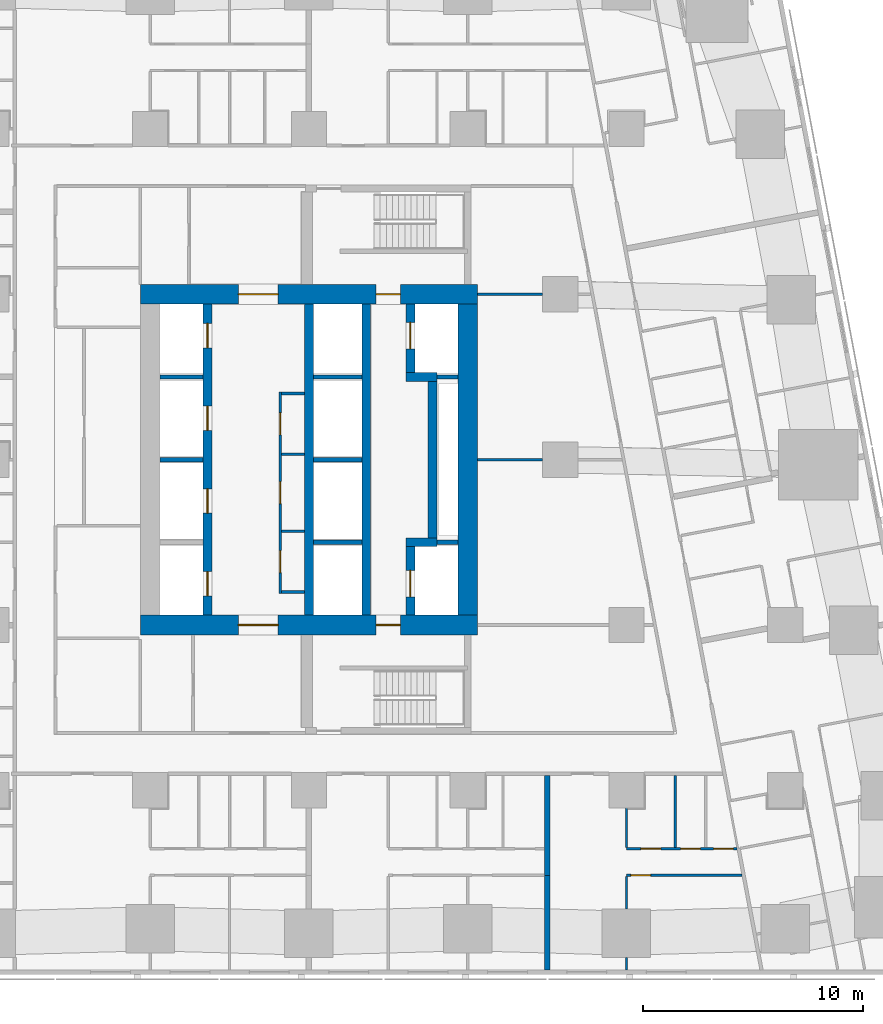
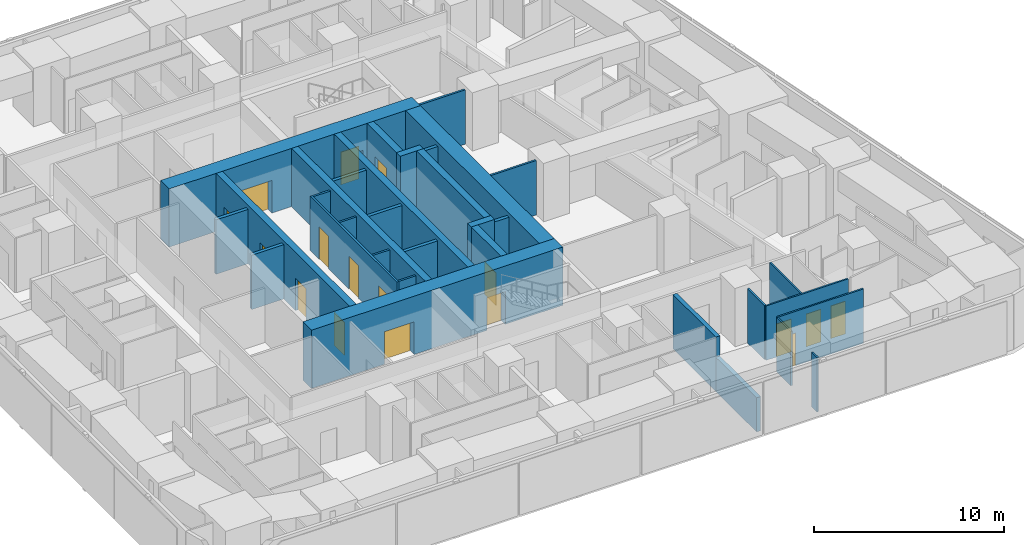
# One storey, part 5 of 15: 33 walls, 17 doors, 17 openings.
"""IFC4 building model written with IfcOpenShell, lengths in metres."""

from ifc_helpers import new_model, si_unit, direction, frame, frame_2d, origin, place, context, subcontext, project, spatial, rectangle, extrude, material, layer, layer_set, type_object, element, fill, save


model = new_model("IFC4")

# Units and contexts
model_context = context("Model", 3, precision=1e-05, world=origin(), true_north=direction((0.0, 1.0)))
body_context = subcontext(model_context, "Body", "Model", "MODEL_VIEW")
ifc_project = project(units=[si_unit("LENGTHUNIT", "METRE"), si_unit("AREAUNIT", "SQUARE_METRE"), si_unit("VOLUMEUNIT", "CUBIC_METRE"), si_unit("PLANEANGLEUNIT", "RADIAN"), si_unit("MASSUNIT", "GRAM", prefix="KILO")], contexts=[model_context])

# Site, building, storey
site_placement = place(None, origin())
site = spatial("IfcSite", under=ifc_project, at=site_placement, CompositionType="ELEMENT")
building_placement = place(site_placement, origin())
building = spatial("IfcBuilding", under=site, at=building_placement, Name="Sheger Commons Tower", CompositionType="ELEMENT")
storey_placement = place(building_placement, frame((0.0, 0.0, 100.39990234375)))
storey = spatial("IfcBuildingStorey", under=building, at=storey_placement, Name="L25", CompositionType="ELEMENT", Elevation=100.39990234375)

# Wall, openings, doors
ifc_material_1 = material(Name="Concrete C50/60", Category="concrete")
ifc_layer_1 = layer(ifc_material_1, 0.39990234375)
ifc_layer_set_1 = layer_set([ifc_layer_1], Name="CORE INNER WALL 400")
wall_type_1 = type_object("IfcWallType", Name="CORE INNER WALL 400", PredefinedType="SHEAR", material=ifc_layer_set_1)
wall_1_placement = place(storey_placement, frame((17.0, 15.449951171875, 0.0), z_axis=(0.0, 0.0, 1.0), x_axis=(0.0, 1.0, 0.0)))
wall_1 = element("IfcWall", 1, at=wall_1_placement, inside=storey, type_object=wall_type_1, Name="Core inner wall A L25", PredefinedType="SHEAR", context=body_context, shape_type="SweptSolid", body=[
    extrude(rectangle(XDim=14.10009765625, YDim=0.39990234375, at=frame_2d((7.050048828125, 0.0))), origin(), (0.0, 0.0, 1.0), 3.75),
])
opening_1_placement = place(wall_1_placement, frame((0.875, 0.0, 0.0)))
opening_1 = element("IfcOpeningElement", 2, at=opening_1_placement, cuts=wall_1, Name="Opening LD", PredefinedType="OPENING", context=body_context, shape_type="SweptSolid", body=[
    extrude(rectangle(XDim=1.10009765625, YDim=2.10009765625, at=frame_2d((0.550048828125, 1.050048828125))), frame((0.0, 0.2099609375, 0.0), z_axis=(0.0, -1.0, 0.0), x_axis=(1.0, 0.0, 0.0)), (0.0, 0.0, 1.0), 0.419921875),
])
opening_2_placement = place(wall_1_placement, frame((4.625, 0.0, 0.0)))
opening_2 = element("IfcOpeningElement", 3, at=opening_2_placement, cuts=wall_1, Name="Opening LD", PredefinedType="OPENING", context=body_context, shape_type="SweptSolid", body=[
    extrude(rectangle(XDim=1.10009765625, YDim=2.10009765625, at=frame_2d((0.550048828125, 1.050048828125))), frame((0.0, 0.2099609375, 0.0), z_axis=(0.0, -1.0, 0.0), x_axis=(1.0, 0.0, 0.0)), (0.0, 0.0, 1.0), 0.419921875),
])
opening_3_placement = place(wall_1_placement, frame((8.375, 0.0, 0.0)))
opening_3 = element("IfcOpeningElement", 4, at=opening_3_placement, cuts=wall_1, Name="Opening LD", PredefinedType="OPENING", context=body_context, shape_type="SweptSolid", body=[
    extrude(rectangle(XDim=1.10009765625, YDim=2.10009765625, at=frame_2d((0.550048828125, 1.050048828125))), frame((0.0, 0.2099609375, 0.0), z_axis=(0.0, -1.0, 0.0), x_axis=(1.0, 0.0, 0.0)), (0.0, 0.0, 1.0), 0.419921875),
])
opening_4_placement = place(wall_1_placement, frame((12.125, 0.0, 0.0)))
opening_4 = element("IfcOpeningElement", 5, at=opening_4_placement, cuts=wall_1, Name="Opening LD", PredefinedType="OPENING", context=body_context, shape_type="SweptSolid", body=[
    extrude(rectangle(XDim=1.10009765625, YDim=2.10009765625, at=frame_2d((0.550048828125, 1.050048828125))), frame((0.0, 0.2099609375, 0.0), z_axis=(0.0, -1.0, 0.0), x_axis=(1.0, 0.0, 0.0)), (0.0, 0.0, 1.0), 0.419921875),
])
ifc_material_2 = material(Name="Steel door set, fire rated", Category="steel")
door_type_1 = type_object("IfcDoorType", Name="LIFT LANDING DOOR 1100x2100", OperationType="DOUBLE_DOOR_SLIDING", PredefinedType="DOOR", material=ifc_material_2)
door_1_placement = place(opening_1_placement, origin())
door_1 = element("IfcDoor", 6, at=door_1_placement, inside=storey, type_object=door_type_1, Name="Lift LA1 landing door", OperationType="DOUBLE_DOOR_SLIDING", OverallHeight=2.10009765625, OverallWidth=1.10009765625, PredefinedType="DOOR", context=body_context, shape_type="SweptSolid", body=[
    extrude(rectangle(XDim=1.10009765625, YDim=2.10009765625, at=frame_2d((0.550048828125, 1.050048828125))), frame((0.0, 0.02490234375, 0.0), z_axis=(0.0, -1.0, 0.0), x_axis=(1.0, 0.0, 0.0)), (0.0, 0.0, 1.0), 0.050048828125),
])
fill(opening_1, door_1)
door_2_placement = place(opening_2_placement, origin())
door_2 = element("IfcDoor", 7, at=door_2_placement, inside=storey, type_object=door_type_1, Name="Lift LA2 landing door", OperationType="DOUBLE_DOOR_SLIDING", OverallHeight=2.10009765625, OverallWidth=1.10009765625, PredefinedType="DOOR", context=body_context, shape_type="SweptSolid", body=[
    extrude(rectangle(XDim=1.10009765625, YDim=2.10009765625, at=frame_2d((0.550048828125, 1.050048828125))), frame((0.0, 0.02490234375, 0.0), z_axis=(0.0, -1.0, 0.0), x_axis=(1.0, 0.0, 0.0)), (0.0, 0.0, 1.0), 0.050048828125),
])
fill(opening_2, door_2)
door_3_placement = place(opening_3_placement, origin())
door_3 = element("IfcDoor", 8, at=door_3_placement, inside=storey, type_object=door_type_1, Name="Lift LA3 landing door", OperationType="DOUBLE_DOOR_SLIDING", OverallHeight=2.10009765625, OverallWidth=1.10009765625, PredefinedType="DOOR", context=body_context, shape_type="SweptSolid", body=[
    extrude(rectangle(XDim=1.10009765625, YDim=2.10009765625, at=frame_2d((0.550048828125, 1.050048828125))), frame((0.0, 0.02490234375, 0.0), z_axis=(0.0, -1.0, 0.0), x_axis=(1.0, 0.0, 0.0)), (0.0, 0.0, 1.0), 0.050048828125),
])
fill(opening_3, door_3)
door_4_placement = place(opening_4_placement, origin())
door_4 = element("IfcDoor", 9, at=door_4_placement, inside=storey, type_object=door_type_1, Name="Lift LA4 landing door", OperationType="DOUBLE_DOOR_SLIDING", OverallHeight=2.10009765625, OverallWidth=1.10009765625, PredefinedType="DOOR", context=body_context, shape_type="SweptSolid", body=[
    extrude(rectangle(XDim=1.10009765625, YDim=2.10009765625, at=frame_2d((0.550048828125, 1.050048828125))), frame((0.0, 0.02490234375, 0.0), z_axis=(0.0, -1.0, 0.0), x_axis=(1.0, 0.0, 0.0)), (0.0, 0.0, 1.0), 0.050048828125),
])
fill(opening_4, door_4)

# Walls
for number, where, z_axis, x_axis, name in (
    (10, (21.60009765625, 15.449951171875, 0.0), (0.0, 0.0, 1.0), (0.0, 1.0, 0.0), "Core inner wall L L25"),
    (11, (24.199951171875, 15.449951171875, 0.0), (0.0, 0.0, 1.0), (0.0, 1.0, 0.0), "Core inner wall B L25"),
):
    element("IfcWall", number, at=place(storey_placement, frame(where, z_axis=z_axis, x_axis=x_axis)), inside=storey, type_object=wall_type_1, Name=name, PredefinedType="SHEAR", context=body_context, shape_type="SweptSolid", body=[
        extrude(rectangle(XDim=14.10009765625, YDim=0.39990234375, at=frame_2d((7.050048828125, 0.0))), origin(), (0.0, 0.0, 1.0), 3.75),
    ])

# Wall, opening, door
wall_2_placement = place(storey_placement, frame((26.199951171875, 15.449951171875, 0.0), z_axis=(0.0, 0.0, 1.0), x_axis=(0.0, 1.0, 0.0)))
wall_2 = element("IfcWall", 12, at=wall_2_placement, inside=storey, type_object=wall_type_1, Name="Core inner wall F L25", PredefinedType="SHEAR", context=body_context, shape_type="SweptSolid", body=[
    extrude(rectangle(XDim=3.10009765625, YDim=0.39990234375, at=frame_2d((1.550048828125, 0.0))), origin(), (0.0, 0.0, 1.0), 3.75),
])
opening_5_placement = place(wall_2_placement, frame((0.824951171875, 0.0, 0.0)))
opening_5 = element("IfcOpeningElement", 13, at=opening_5_placement, cuts=wall_2, Name="Opening LD2", PredefinedType="OPENING", context=body_context, shape_type="SweptSolid", body=[
    extrude(rectangle(XDim=1.199951171875, YDim=2.10009765625, at=frame_2d((0.60009765625, 1.050048828125))), frame((0.0, 0.2099609375, 0.0), z_axis=(0.0, -1.0, 0.0), x_axis=(1.0, 0.0, 0.0)), (0.0, 0.0, 1.0), 0.419921875),
])
ifc_material_3 = material(Name="Steel door set, fire rated", Category="steel")
door_type_2 = type_object("IfcDoorType", Name="FIREFIGHTING LIFT LANDING DOOR 1200x2100", OperationType="DOUBLE_DOOR_SLIDING", PredefinedType="DOOR", material=ifc_material_3)
door_5_placement = place(opening_5_placement, origin())
door_5 = element("IfcDoor", 14, at=door_5_placement, inside=storey, type_object=door_type_2, Name="Lift FL1 landing door", OperationType="DOUBLE_DOOR_SLIDING", OverallHeight=2.10009765625, OverallWidth=1.199951171875, PredefinedType="DOOR", context=body_context, shape_type="SweptSolid", body=[
    extrude(rectangle(XDim=1.199951171875, YDim=2.10009765625, at=frame_2d((0.60009765625, 1.050048828125))), frame((0.0, 0.02490234375, 0.0), z_axis=(0.0, -1.0, 0.0), x_axis=(1.0, 0.0, 0.0)), (0.0, 0.0, 1.0), 0.050048828125),
])
fill(opening_5, door_5)

# Walls
wall_3_placement = place(storey_placement, frame((26.0, 18.75, 0.0), z_axis=(0.0, 0.0, 1.0), x_axis=(1.0, 0.0, 0.0)))
element("IfcWall", 15, at=wall_3_placement, inside=storey, type_object=wall_type_1, Name="Core inner wall F south return L25", PredefinedType="SHEAR", context=body_context, shape_type="SweptSolid", body=[
    extrude(rectangle(XDim=1.39990234375, YDim=0.39990234375, at=frame_2d((0.699951171875, 0.0))), origin(), (0.0, 0.0, 1.0), 3.75),
])
wall_4_placement = place(storey_placement, frame((27.199951171875, 18.949951171875, 0.0), z_axis=(0.0, 0.0, 1.0), x_axis=(0.0, 1.0, 0.0)))
element("IfcWall", 16, at=wall_4_placement, inside=storey, type_object=wall_type_1, Name="Core inner wall F middle L25", PredefinedType="SHEAR", context=body_context, shape_type="SweptSolid", body=[
    extrude(rectangle(XDim=7.10009765625, YDim=0.39990234375, at=frame_2d((3.550048828125, 0.0))), origin(), (0.0, 0.0, 1.0), 3.75),
])
wall_5_placement = place(storey_placement, frame((26.0, 26.25, 0.0), z_axis=(0.0, 0.0, 1.0), x_axis=(1.0, 0.0, 0.0)))
element("IfcWall", 17, at=wall_5_placement, inside=storey, type_object=wall_type_1, Name="Core inner wall F north return L25", PredefinedType="SHEAR", context=body_context, shape_type="SweptSolid", body=[
    extrude(rectangle(XDim=1.39990234375, YDim=0.39990234375, at=frame_2d((0.699951171875, 0.0))), origin(), (0.0, 0.0, 1.0), 3.75),
])

# Wall, opening, door
wall_6_placement = place(storey_placement, frame((26.199951171875, 26.449951171875, 0.0), z_axis=(0.0, 0.0, 1.0), x_axis=(0.0, 1.0, 0.0)))
wall_6 = element("IfcWall", 18, at=wall_6_placement, inside=storey, type_object=wall_type_1, Name="Core inner wall F north L25", PredefinedType="SHEAR", context=body_context, shape_type="SweptSolid", body=[
    extrude(rectangle(XDim=3.10009765625, YDim=0.39990234375, at=frame_2d((1.550048828125, 0.0))), origin(), (0.0, 0.0, 1.0), 3.75),
])
opening_6_placement = place(wall_6_placement, frame((1.074951171875, 0.0, 0.0)))
opening_6 = element("IfcOpeningElement", 19, at=opening_6_placement, cuts=wall_6, Name="Opening LD2", PredefinedType="OPENING", context=body_context, shape_type="SweptSolid", body=[
    extrude(rectangle(XDim=1.199951171875, YDim=2.10009765625, at=frame_2d((0.60009765625, 1.050048828125))), frame((0.0, 0.2099609375, 0.0), z_axis=(0.0, -1.0, 0.0), x_axis=(1.0, 0.0, 0.0)), (0.0, 0.0, 1.0), 0.419921875),
])
door_6_placement = place(opening_6_placement, origin())
door_6 = element("IfcDoor", 20, at=door_6_placement, inside=storey, type_object=door_type_2, Name="Lift FL2 landing door", OperationType="DOUBLE_DOOR_SLIDING", OverallHeight=2.10009765625, OverallWidth=1.199951171875, PredefinedType="DOOR", context=body_context, shape_type="SweptSolid", body=[
    extrude(rectangle(XDim=1.199951171875, YDim=2.10009765625, at=frame_2d((0.60009765625, 1.050048828125))), frame((0.0, 0.02490234375, 0.0), z_axis=(0.0, -1.0, 0.0), x_axis=(1.0, 0.0, 0.0)), (0.0, 0.0, 1.0), 0.050048828125),
])
fill(opening_6, door_6)

# Wall, openings, doors
ifc_material_4 = material(Name="Concrete C50/60", Category="concrete")
ifc_layer_2 = layer(ifc_material_4, 0.89990234375)
ifc_layer_set_2 = layer_set([ifc_layer_2], Name="CORE WALL 900")
wall_type_2 = type_object("IfcWallType", Name="CORE WALL 900", PredefinedType="SHEAR", material=ifc_layer_set_2)
wall_7_placement = place(storey_placement, frame((13.949951171875, 15.0, 0.0), z_axis=(0.0, 0.0, 1.0), x_axis=(1.0, 0.0, 0.0)))
wall_7 = element("IfcWall", 21, at=wall_7_placement, inside=storey, type_object=wall_type_2, Name="Core wall south L25", PredefinedType="SHEAR", context=body_context, shape_type="SweptSolid", body=[
    extrude(rectangle(XDim=15.300048828125, YDim=0.89990234375, at=frame_2d((7.64990234375, 0.0))), origin(), (0.0, 0.0, 1.0), 3.75),
])
opening_7_placement = place(wall_7_placement, frame((4.449951171875, 0.0, 0.0)))
opening_7 = element("IfcOpeningElement", 22, at=opening_7_placement, cuts=wall_7, Name="Opening D6", PredefinedType="OPENING", context=body_context, shape_type="SweptSolid", body=[
    extrude(rectangle(XDim=1.800048828125, YDim=2.10009765625, at=frame_2d((0.89990234375, 1.050048828125))), frame((0.0, 0.4599609375, 0.0), z_axis=(0.0, -1.0, 0.0), x_axis=(1.0, 0.0, 0.0)), (0.0, 0.0, 1.0), 0.919921875),
])
opening_8_placement = place(wall_7_placement, frame((10.699951171875, 0.0, 0.0)))
opening_8 = element("IfcOpeningElement", 23, at=opening_8_placement, cuts=wall_7, Name="Opening D5", PredefinedType="OPENING", context=body_context, shape_type="SweptSolid", body=[
    extrude(rectangle(XDim=1.10009765625, YDim=2.10009765625, at=frame_2d((0.550048828125, 1.050048828125))), frame((0.0, 0.4599609375, 0.0), z_axis=(0.0, -1.0, 0.0), x_axis=(1.0, 0.0, 0.0)), (0.0, 0.0, 1.0), 0.919921875),
])
ifc_material_5 = material(Name="Steel door set, fire rated", Category="steel")
door_type_3 = type_object("IfcDoorType", Name="LOBBY DOUBLE DOOR 1800x2100", OperationType="DOUBLE_DOOR_SINGLE_SWING", PredefinedType="DOOR", material=ifc_material_5)
door_7_placement = place(opening_7_placement, origin())
door_7 = element("IfcDoor", 24, at=door_7_placement, inside=storey, type_object=door_type_3, Name="Lift lobby door", OperationType="DOUBLE_DOOR_SINGLE_SWING", OverallHeight=2.10009765625, OverallWidth=1.800048828125, PredefinedType="DOOR", context=body_context, shape_type="SweptSolid", body=[
    extrude(rectangle(XDim=1.800048828125, YDim=2.10009765625, at=frame_2d((0.89990234375, 1.050048828125))), frame((0.0, 0.02490234375, 0.0), z_axis=(0.0, -1.0, 0.0), x_axis=(1.0, 0.0, 0.0)), (0.0, 0.0, 1.0), 0.050048828125),
])
fill(opening_7, door_7)
ifc_material_6 = material(Name="Steel door set, fire rated", Category="steel")
door_type_4 = type_object("IfcDoorType", Name="STAIR DOOR 1100x2100", OperationType="NOTDEFINED", PredefinedType="DOOR", material=ifc_material_6)
door_8_placement = place(opening_8_placement, origin())
door_8 = element("IfcDoor", 25, at=door_8_placement, inside=storey, type_object=door_type_4, Name="Fire-fighting lobby door", OperationType="SINGLE_SWING_LEFT", OverallHeight=2.10009765625, OverallWidth=1.10009765625, PredefinedType="DOOR", context=body_context, shape_type="SweptSolid", body=[
    extrude(rectangle(XDim=1.10009765625, YDim=2.10009765625, at=frame_2d((0.550048828125, 1.050048828125))), frame((0.0, 0.02490234375, 0.0), z_axis=(0.0, -1.0, 0.0), x_axis=(1.0, 0.0, 0.0)), (0.0, 0.0, 1.0), 0.050048828125),
])
fill(opening_8, door_8)

wall_8_placement = place(storey_placement, frame((13.949951171875, 30.0, 0.0), z_axis=(0.0, 0.0, 1.0), x_axis=(1.0, 0.0, 0.0)))
wall_8 = element("IfcWall", 26, at=wall_8_placement, inside=storey, type_object=wall_type_2, Name="Core wall north L25", PredefinedType="SHEAR", context=body_context, shape_type="SweptSolid", body=[
    extrude(rectangle(XDim=15.300048828125, YDim=0.89990234375, at=frame_2d((7.64990234375, 0.0))), origin(), (0.0, 0.0, 1.0), 3.75),
])
opening_9_placement = place(wall_8_placement, frame((4.449951171875, 0.0, 0.0)))
opening_9 = element("IfcOpeningElement", 27, at=opening_9_placement, cuts=wall_8, Name="Opening D6", PredefinedType="OPENING", context=body_context, shape_type="SweptSolid", body=[
    extrude(rectangle(XDim=1.800048828125, YDim=2.10009765625, at=frame_2d((0.89990234375, 1.050048828125))), frame((0.0, 0.4599609375, 0.0), z_axis=(0.0, -1.0, 0.0), x_axis=(1.0, 0.0, 0.0)), (0.0, 0.0, 1.0), 0.919921875),
])
opening_10_placement = place(wall_8_placement, frame((10.699951171875, 0.0, 0.0)))
opening_10 = element("IfcOpeningElement", 28, at=opening_10_placement, cuts=wall_8, Name="Opening D5", PredefinedType="OPENING", context=body_context, shape_type="SweptSolid", body=[
    extrude(rectangle(XDim=1.10009765625, YDim=2.10009765625, at=frame_2d((0.550048828125, 1.050048828125))), frame((0.0, 0.4599609375, 0.0), z_axis=(0.0, -1.0, 0.0), x_axis=(1.0, 0.0, 0.0)), (0.0, 0.0, 1.0), 0.919921875),
])
door_9_placement = place(opening_9_placement, origin())
door_9 = element("IfcDoor", 29, at=door_9_placement, inside=storey, type_object=door_type_3, Name="Lift lobby door", OperationType="DOUBLE_DOOR_SINGLE_SWING", OverallHeight=2.10009765625, OverallWidth=1.800048828125, PredefinedType="DOOR", context=body_context, shape_type="SweptSolid", body=[
    extrude(rectangle(XDim=1.800048828125, YDim=2.10009765625, at=frame_2d((0.89990234375, 1.050048828125))), frame((0.0, 0.02490234375, 0.0), z_axis=(0.0, -1.0, 0.0), x_axis=(1.0, 0.0, 0.0)), (0.0, 0.0, 1.0), 0.050048828125),
])
fill(opening_9, door_9)
door_10_placement = place(opening_10_placement, origin())
door_10 = element("IfcDoor", 30, at=door_10_placement, inside=storey, type_object=door_type_4, Name="Fire-fighting lobby door", OperationType="SINGLE_SWING_LEFT", OverallHeight=2.10009765625, OverallWidth=1.10009765625, PredefinedType="DOOR", context=body_context, shape_type="SweptSolid", body=[
    extrude(rectangle(XDim=1.10009765625, YDim=2.10009765625, at=frame_2d((0.550048828125, 1.050048828125))), frame((0.0, 0.02490234375, 0.0), z_axis=(0.0, -1.0, 0.0), x_axis=(1.0, 0.0, 0.0)), (0.0, 0.0, 1.0), 0.050048828125),
])
fill(opening_10, door_10)

# Walls
wall_9_placement = place(storey_placement, frame((28.800048828125, 15.449951171875, 0.0), z_axis=(0.0, 0.0, 1.0), x_axis=(0.0, 1.0, 0.0)))
element("IfcWall", 31, at=wall_9_placement, inside=storey, type_object=wall_type_2, Name="Core wall east L25", PredefinedType="SHEAR", context=body_context, shape_type="SweptSolid", body=[
    extrude(rectangle(XDim=14.10009765625, YDim=0.89990234375, at=frame_2d((7.050048828125, 0.0))), origin(), (0.0, 0.0, 1.0), 3.75),
])
ifc_material_7 = material(Name="Dense concrete block masonry, plastered both sides (separating wall between flats)", Category="masonry")
ifc_layer_3 = layer(ifc_material_7, 0.25)
ifc_layer_set_3 = layer_set([ifc_layer_3], Name="DEMISING WALL 250")
wall_type_3 = type_object("IfcWallType", Name="DEMISING WALL 250", PredefinedType="SOLIDWALL", material=ifc_layer_set_3)
wall_10_placement = place(storey_placement, frame((32.39990234375, -0.64990234375, 0.0), z_axis=(0.0, 0.0, 1.0), x_axis=(0.0, 1.0, 0.0)))
element("IfcWall", 32, at=wall_10_placement, inside=storey, type_object=wall_type_3, Name="Demising wall L25", PredefinedType="SOLIDWALL", context=body_context, shape_type="SweptSolid", body=[
    extrude(rectangle(XDim=4.2998046875, YDim=0.25, at=frame_2d((2.14990234375, 0.0))), origin(), (0.0, 0.0, 1.0), 2.2001953125),
])
wall_11_placement = place(storey_placement, frame((32.39990234375, 3.64990234375, 0.0), z_axis=(0.0, 0.0, 1.0), x_axis=(0.0, 1.0, 0.0)))
element("IfcWall", 33, at=wall_11_placement, inside=storey, type_object=wall_type_3, Name="Demising wall L25", PredefinedType="SOLIDWALL", context=body_context, shape_type="SweptSolid", body=[
    extrude(rectangle(XDim=4.525146484375, YDim=0.25, at=frame_2d((2.2626953125, 0.0))), origin(), (0.0, 0.0, 1.0), 3.5),
])

# Wall, opening, door
ifc_material_8 = material(Name="Gypsum board on steel studs", Category="steel")
ifc_layer_4 = layer(ifc_material_8, 0.10009765625)
ifc_layer_set_4 = layer_set([ifc_layer_4], Name="PARTITION 100")
wall_type_4 = type_object("IfcWallType", Name="PARTITION 100", PredefinedType="PARTITIONING", material=ifc_layer_set_4)
wall_12_placement = place(storey_placement, frame((41.22900390625, 3.64990234375, 0.0), z_axis=(0.0, 0.0, 1.0), x_axis=(-1.0, 0.0, 0.0)))
wall_12 = element("IfcWall", 34, at=wall_12_placement, inside=storey, type_object=wall_type_4, Name="Partition L25", PredefinedType="PARTITIONING", context=body_context, shape_type="SweptSolid", body=[
    extrude(rectangle(XDim=5.22900390625, YDim=0.10009765625, at=frame_2d((2.614501953125, 0.0))), origin(), (0.0, 0.0, 1.0), 3.5),
])
opening_11_placement = place(wall_12_placement, frame((4.12890625, 0.0, 0.0)))
opening_11 = element("IfcOpeningElement", 35, at=opening_11_placement, cuts=wall_12, Name="Opening D2", PredefinedType="OPENING", context=body_context, shape_type="SweptSolid", body=[
    extrude(rectangle(XDim=0.89990234375, YDim=2.10009765625, at=frame_2d((0.449951171875, 1.050048828125))), frame((0.0, 0.06005859375, 0.0), z_axis=(0.0, -1.0, 0.0), x_axis=(1.0, 0.0, 0.0)), (0.0, 0.0, 1.0), 0.1201171875),
])
ifc_material_9 = material(Name="Timber door set", Category="wood")
door_type_5 = type_object("IfcDoorType", Name="INTERNAL DOOR 900x2100", OperationType="NOTDEFINED", PredefinedType="DOOR", material=ifc_material_9)
door_11_placement = place(opening_11_placement, origin())
door_11 = element("IfcDoor", 36, at=door_11_placement, inside=storey, type_object=door_type_5, Name="Main bedroom door", OperationType="SINGLE_SWING_LEFT", OverallHeight=2.10009765625, OverallWidth=0.89990234375, PredefinedType="DOOR", context=body_context, shape_type="SweptSolid", body=[
    extrude(rectangle(XDim=0.89990234375, YDim=2.10009765625, at=frame_2d((0.449951171875, 1.050048828125))), frame((0.0, 0.02490234375, 0.0), z_axis=(0.0, -1.0, 0.0), x_axis=(1.0, 0.0, 0.0)), (0.0, 0.0, 1.0), 0.050048828125),
])
fill(opening_11, door_11)

# Wall, openings, doors
wall_13_placement = place(storey_placement, frame((41.001953125, 4.85009765625, 0.0), z_axis=(0.0, 0.0, 1.0), x_axis=(-1.0, 0.0, 0.0)))
wall_13 = element("IfcWall", 37, at=wall_13_placement, inside=storey, type_object=wall_type_4, Name="Partition L25", PredefinedType="PARTITIONING", context=body_context, shape_type="SweptSolid", body=[
    extrude(rectangle(XDim=5.001953125, YDim=0.10009765625, at=frame_2d((2.5009765625, 0.0))), origin(), (0.0, 0.0, 1.0), 3.5),
])
opening_12_placement = place(wall_13_placement, frame((3.447021484375, 0.0, 0.0)))
opening_12 = element("IfcOpeningElement", 38, at=opening_12_placement, cuts=wall_13, Name="Opening D2", PredefinedType="OPENING", context=body_context, shape_type="SweptSolid", body=[
    extrude(rectangle(XDim=0.89990234375, YDim=2.10009765625, at=frame_2d((0.449951171875, 1.050048828125))), frame((0.0, 0.06005859375, 0.0), z_axis=(0.0, -1.0, 0.0), x_axis=(1.0, 0.0, 0.0)), (0.0, 0.0, 1.0), 0.1201171875),
])
opening_13_placement = place(wall_13_placement, frame((0.14990234375, 0.0, 0.0)))
opening_13 = element("IfcOpeningElement", 39, at=opening_13_placement, cuts=wall_13, Name="Opening D2", PredefinedType="OPENING", context=body_context, shape_type="SweptSolid", body=[
    extrude(rectangle(XDim=0.89990234375, YDim=2.10009765625, at=frame_2d((0.449951171875, 1.050048828125))), frame((0.0, 0.06005859375, 0.0), z_axis=(0.0, -1.0, 0.0), x_axis=(1.0, 0.0, 0.0)), (0.0, 0.0, 1.0), 0.1201171875),
])
opening_14_placement = place(wall_13_placement, frame((1.64697265625, 0.0, 0.0)))
opening_14 = element("IfcOpeningElement", 40, at=opening_14_placement, cuts=wall_13, Name="Opening D2", PredefinedType="OPENING", context=body_context, shape_type="SweptSolid", body=[
    extrude(rectangle(XDim=0.89990234375, YDim=2.10009765625, at=frame_2d((0.449951171875, 1.050048828125))), frame((0.0, 0.06005859375, 0.0), z_axis=(0.0, -1.0, 0.0), x_axis=(1.0, 0.0, 0.0)), (0.0, 0.0, 1.0), 0.1201171875),
])
door_12_placement = place(opening_12_placement, origin())
door_12 = element("IfcDoor", 41, at=door_12_placement, inside=storey, type_object=door_type_5, Name="Bathroom door", OperationType="SINGLE_SWING_LEFT", OverallHeight=2.10009765625, OverallWidth=0.89990234375, PredefinedType="DOOR", context=body_context, shape_type="SweptSolid", body=[
    extrude(rectangle(XDim=0.89990234375, YDim=2.10009765625, at=frame_2d((0.449951171875, 1.050048828125))), frame((0.0, 0.02490234375, 0.0), z_axis=(0.0, -1.0, 0.0), x_axis=(1.0, 0.0, 0.0)), (0.0, 0.0, 1.0), 0.050048828125),
])
fill(opening_12, door_12)
door_13_placement = place(opening_13_placement, origin())
door_13 = element("IfcDoor", 42, at=door_13_placement, inside=storey, type_object=door_type_5, Name="Laundry room door", OperationType="SINGLE_SWING_RIGHT", OverallHeight=2.10009765625, OverallWidth=0.89990234375, PredefinedType="DOOR", context=body_context, shape_type="SweptSolid", body=[
    extrude(rectangle(XDim=0.89990234375, YDim=2.10009765625, at=frame_2d((0.449951171875, 1.050048828125))), frame((0.0, 0.02490234375, 0.0), z_axis=(0.0, -1.0, 0.0), x_axis=(1.0, 0.0, 0.0)), (0.0, 0.0, 1.0), 0.050048828125),
])
fill(opening_13, door_13)
door_14_placement = place(opening_14_placement, origin())
door_14 = element("IfcDoor", 43, at=door_14_placement, inside=storey, type_object=door_type_5, Name="Store door", OperationType="SINGLE_SWING_LEFT", OverallHeight=2.10009765625, OverallWidth=0.89990234375, PredefinedType="DOOR", context=body_context, shape_type="SweptSolid", body=[
    extrude(rectangle(XDim=0.89990234375, YDim=2.10009765625, at=frame_2d((0.449951171875, 1.050048828125))), frame((0.0, 0.02490234375, 0.0), z_axis=(0.0, -1.0, 0.0), x_axis=(1.0, 0.0, 0.0)), (0.0, 0.0, 1.0), 0.050048828125),
])
fill(opening_14, door_14)

# Walls
wall_14_placement = place(storey_placement, frame((36.0, -0.64990234375, 0.0), z_axis=(0.0, 0.0, 1.0), x_axis=(0.0, 1.0, 0.0)))
element("IfcWall", 44, at=wall_14_placement, inside=storey, type_object=wall_type_4, Name="Partition L25", PredefinedType="PARTITIONING", context=body_context, shape_type="SweptSolid", body=[
    extrude(rectangle(XDim=0.573974609375, YDim=0.10009765625, at=frame_2d((0.287109375, 0.0))), origin(), (0.0, 0.0, 1.0), 3.5),
])
wall_15_placement = place(storey_placement, frame((36.0, 2.1259765625, 0.0), z_axis=(0.0, 0.0, 1.0), x_axis=(0.0, 1.0, 0.0)))
element("IfcWall", 45, at=wall_15_placement, inside=storey, type_object=wall_type_4, Name="Partition L25", PredefinedType="PARTITIONING", context=body_context, shape_type="SweptSolid", body=[
    extrude(rectangle(XDim=1.47412109375, YDim=0.10009765625, at=frame_2d((0.737060546875, 0.0))), origin(), (0.0, 0.0, 1.0), 3.5),
])
wall_16_placement = place(storey_placement, frame((36.0, 4.89990234375, 0.0), z_axis=(0.0, 0.0, 1.0), x_axis=(0.0, 1.0, 0.0)))
element("IfcWall", 46, at=wall_16_placement, inside=storey, type_object=wall_type_4, Name="Partition L25", PredefinedType="PARTITIONING", context=body_context, shape_type="SweptSolid", body=[
    extrude(rectangle(XDim=1.799072265625, YDim=0.10009765625, at=frame_2d((0.8994140625, 0.0))), origin(), (0.0, 0.0, 1.0), 3.5),
])
wall_17_placement = place(storey_placement, frame((38.2099609375, 4.89990234375, 0.0), z_axis=(0.0, 0.0, 1.0), x_axis=(0.0, 1.0, 0.0)))
element("IfcWall", 47, at=wall_17_placement, inside=storey, type_object=wall_type_4, Name="Partition L25", PredefinedType="PARTITIONING", context=body_context, shape_type="SweptSolid", body=[
    extrude(rectangle(XDim=3.275146484375, YDim=0.10009765625, at=frame_2d((1.6376953125, 0.0))), origin(), (0.0, 0.0, 1.0), 3.5),
])
ifc_material_10 = material(Name="Gypsum board on steel studs, two layers each side, fire rated", Category="steel")
ifc_layer_5 = layer(ifc_material_10, 0.125)
ifc_layer_set_5 = layer_set([ifc_layer_5], Name="SERVICE WALL 125")
wall_type_5 = type_object("IfcWallType", Name="SERVICE WALL 125", PredefinedType="PARTITIONING", material=ifc_layer_set_5)
for number, where, z_axis, x_axis, name in (
    (48, (29.25, 22.5, 0.0), (0.0, 0.0, 1.0), (1.0, 0.0, 0.0), "Service room wall L25"),
    (49, (29.25, 30.0, 0.0), (0.0, 0.0, 1.0), (1.0, 0.0, 0.0), "Service room wall L25"),
):
    element("IfcWall", number, at=place(storey_placement, frame(where, z_axis=z_axis, x_axis=x_axis)), inside=storey, type_object=wall_type_5, Name=name, PredefinedType="PARTITIONING", context=body_context, shape_type="SweptSolid", body=[
        extrude(rectangle(XDim=2.948974609375, YDim=0.125, at=frame_2d((1.474609375, 0.0))), origin(), (0.0, 0.0, 1.0), 3.5),
    ])

# Wall, openings, doors
wall_18_placement = place(storey_placement, frame((20.300048828125, 16.43798828125, 0.0), z_axis=(0.0, 0.0, 1.0), x_axis=(0.0, 1.0, 0.0)))
wall_18 = element("IfcWall", 50, at=wall_18_placement, inside=storey, type_object=wall_type_5, Name="Service room wall L25", PredefinedType="PARTITIONING", context=body_context, shape_type="SweptSolid", body=[
    extrude(rectangle(XDim=9.1240234375, YDim=0.125, at=frame_2d((4.56201171875, 0.0))), origin(), (0.0, 0.0, 1.0), 3.5),
])
opening_15_placement = place(wall_18_placement, frame((0.93701171875, 0.0, 0.0)))
opening_15 = element("IfcOpeningElement", 51, at=opening_15_placement, cuts=wall_18, Name="Opening D4", PredefinedType="OPENING", context=body_context, shape_type="SweptSolid", body=[
    extrude(rectangle(XDim=1.0, YDim=2.10009765625, at=frame_2d((0.5, 1.050048828125))), frame((0.0, 0.072509765625, 0.0), z_axis=(0.0, -1.0, 0.0), x_axis=(1.0, 0.0, 0.0)), (0.0, 0.0, 1.0), 0.14501953125),
])
opening_16_placement = place(wall_18_placement, frame((4.06201171875, 0.0, 0.0)))
opening_16 = element("IfcOpeningElement", 52, at=opening_16_placement, cuts=wall_18, Name="Opening D4", PredefinedType="OPENING", context=body_context, shape_type="SweptSolid", body=[
    extrude(rectangle(XDim=1.0, YDim=2.10009765625, at=frame_2d((0.5, 1.050048828125))), frame((0.0, 0.072509765625, 0.0), z_axis=(0.0, -1.0, 0.0), x_axis=(1.0, 0.0, 0.0)), (0.0, 0.0, 1.0), 0.14501953125),
])
opening_17_placement = place(wall_18_placement, frame((7.18701171875, 0.0, 0.0)))
opening_17 = element("IfcOpeningElement", 53, at=opening_17_placement, cuts=wall_18, Name="Opening D4", PredefinedType="OPENING", context=body_context, shape_type="SweptSolid", body=[
    extrude(rectangle(XDim=1.0, YDim=2.10009765625, at=frame_2d((0.5, 1.050048828125))), frame((0.0, 0.072509765625, 0.0), z_axis=(0.0, -1.0, 0.0), x_axis=(1.0, 0.0, 0.0)), (0.0, 0.0, 1.0), 0.14501953125),
])
ifc_material_11 = material(Name="Steel door set, fire rated", Category="steel")
door_type_6 = type_object("IfcDoorType", Name="SERVICE DOOR 1000x2100", OperationType="NOTDEFINED", PredefinedType="DOOR", material=ifc_material_11)
door_15_placement = place(opening_15_placement, origin())
door_15 = element("IfcDoor", 54, at=door_15_placement, inside=storey, type_object=door_type_6, Name="Electrical cupboard door", OperationType="SINGLE_SWING_RIGHT", OverallHeight=2.10009765625, OverallWidth=1.0, PredefinedType="DOOR", context=body_context, shape_type="SweptSolid", body=[
    extrude(rectangle(XDim=1.0, YDim=2.10009765625, at=frame_2d((0.5, 1.050048828125))), frame((0.0, 0.02490234375, 0.0), z_axis=(0.0, -1.0, 0.0), x_axis=(1.0, 0.0, 0.0)), (0.0, 0.0, 1.0), 0.050048828125),
])
fill(opening_15, door_15)
door_16_placement = place(opening_16_placement, origin())
door_16 = element("IfcDoor", 55, at=door_16_placement, inside=storey, type_object=door_type_6, Name="Cleaner's cupboard door", OperationType="SINGLE_SWING_LEFT", OverallHeight=2.10009765625, OverallWidth=1.0, PredefinedType="DOOR", context=body_context, shape_type="SweptSolid", body=[
    extrude(rectangle(XDim=1.0, YDim=2.10009765625, at=frame_2d((0.5, 1.050048828125))), frame((0.0, 0.02490234375, 0.0), z_axis=(0.0, -1.0, 0.0), x_axis=(1.0, 0.0, 0.0)), (0.0, 0.0, 1.0), 0.050048828125),
])
fill(opening_16, door_16)
door_17_placement = place(opening_17_placement, origin())
door_17 = element("IfcDoor", 56, at=door_17_placement, inside=storey, type_object=door_type_6, Name="Communications cupboard door", OperationType="SINGLE_SWING_LEFT", OverallHeight=2.10009765625, OverallWidth=1.0, PredefinedType="DOOR", context=body_context, shape_type="SweptSolid", body=[
    extrude(rectangle(XDim=1.0, YDim=2.10009765625, at=frame_2d((0.5, 1.050048828125))), frame((0.0, 0.02490234375, 0.0), z_axis=(0.0, -1.0, 0.0), x_axis=(1.0, 0.0, 0.0)), (0.0, 0.0, 1.0), 0.050048828125),
])
fill(opening_17, door_17)

# Walls
for number, where, z_axis, x_axis, name in (
    (57, (20.363037109375, 16.5, 0.0), (0.0, 0.0, 1.0), (1.0, 0.0, 0.0), "Service room wall L25"),
    (58, (20.363037109375, 25.5, 0.0), (0.0, 0.0, 1.0), (1.0, 0.0, 0.0), "Service room wall L25"),
    (59, (20.363037109375, 19.25, 0.0), (0.0, 0.0, 1.0), (1.0, 0.0, 0.0), "Service room wall L25"),
    (60, (20.363037109375, 22.75, 0.0), (0.0, 0.0, 1.0), (1.0, 0.0, 0.0), "Service room wall L25"),
):
    element("IfcWall", number, at=place(storey_placement, frame(where, z_axis=z_axis, x_axis=x_axis)), inside=storey, type_object=wall_type_5, Name=name, PredefinedType="PARTITIONING", context=body_context, shape_type="SweptSolid", body=[
        extrude(rectangle(XDim=1.036865234375, YDim=0.125, at=frame_2d((0.5185546875, 0.0))), origin(), (0.0, 0.0, 1.0), 3.5),
    ])
ifc_material_12 = material(Name="Hollow concrete block masonry", Category="masonry")
ifc_layer_6 = layer(ifc_material_12, 0.199951171875)
ifc_layer_set_6 = layer_set([ifc_layer_6], Name="SHAFT WALL 200")
wall_type_6 = type_object("IfcWallType", Name="SHAFT WALL 200", PredefinedType="SOLIDWALL", material=ifc_layer_set_6)
wall_19_placement = place(storey_placement, frame((21.800048828125, 18.75, 0.0), z_axis=(0.0, 0.0, 1.0), x_axis=(1.0, 0.0, 0.0)))
element("IfcWall", 61, at=wall_19_placement, inside=storey, type_object=wall_type_6, Name="Lift shaft wall L25", PredefinedType="SOLIDWALL", context=body_context, shape_type="SweptSolid", body=[
    extrude(rectangle(XDim=2.199951171875, YDim=0.199951171875, at=frame_2d((1.10009765625, 0.0))), origin(), (0.0, 0.0, 1.0), 3.5),
])
wall_20_placement = place(storey_placement, frame((14.85009765625, 22.5, 0.0), z_axis=(0.0, 0.0, 1.0), x_axis=(1.0, 0.0, 0.0)))
element("IfcWall", 62, at=wall_20_placement, inside=storey, type_object=wall_type_6, Name="Lift shaft wall L25", PredefinedType="SOLIDWALL", context=body_context, shape_type="SweptSolid", body=[
    extrude(rectangle(XDim=1.949951171875, YDim=0.199951171875, at=frame_2d((0.97509765625, 0.0))), origin(), (0.0, 0.0, 1.0), 3.5),
])
wall_21_placement = place(storey_placement, frame((21.800048828125, 22.5, 0.0), z_axis=(0.0, 0.0, 1.0), x_axis=(1.0, 0.0, 0.0)))
element("IfcWall", 63, at=wall_21_placement, inside=storey, type_object=wall_type_6, Name="Lift shaft wall L25", PredefinedType="SOLIDWALL", context=body_context, shape_type="SweptSolid", body=[
    extrude(rectangle(XDim=2.199951171875, YDim=0.199951171875, at=frame_2d((1.10009765625, 0.0))), origin(), (0.0, 0.0, 1.0), 3.5),
])
wall_22_placement = place(storey_placement, frame((14.85009765625, 26.25, 0.0), z_axis=(0.0, 0.0, 1.0), x_axis=(1.0, 0.0, 0.0)))
element("IfcWall", 64, at=wall_22_placement, inside=storey, type_object=wall_type_6, Name="Lift shaft wall L25", PredefinedType="SOLIDWALL", context=body_context, shape_type="SweptSolid", body=[
    extrude(rectangle(XDim=1.949951171875, YDim=0.199951171875, at=frame_2d((0.97509765625, 0.0))), origin(), (0.0, 0.0, 1.0), 3.5),
])
wall_23_placement = place(storey_placement, frame((21.800048828125, 26.25, 0.0), z_axis=(0.0, 0.0, 1.0), x_axis=(1.0, 0.0, 0.0)))
element("IfcWall", 65, at=wall_23_placement, inside=storey, type_object=wall_type_6, Name="Lift shaft wall L25", PredefinedType="SOLIDWALL", context=body_context, shape_type="SweptSolid", body=[
    extrude(rectangle(XDim=2.199951171875, YDim=0.199951171875, at=frame_2d((1.10009765625, 0.0))), origin(), (0.0, 0.0, 1.0), 3.5),
])
for number, where, z_axis, x_axis, name in (
    (66, (27.39990234375, 18.75, 0.0), (0.0, 0.0, 1.0), (1.0, 0.0, 0.0), "Lift shaft wall L25"),
    (67, (27.39990234375, 26.25, 0.0), (0.0, 0.0, 1.0), (1.0, 0.0, 0.0), "Lift shaft wall L25"),
):
    element("IfcWall", number, at=place(storey_placement, frame(where, z_axis=z_axis, x_axis=x_axis)), inside=storey, type_object=wall_type_6, Name=name, PredefinedType="SOLIDWALL", context=body_context, shape_type="SweptSolid", body=[
        extrude(rectangle(XDim=0.9501953125, YDim=0.199951171875, at=frame_2d((0.47509765625, 0.0))), origin(), (0.0, 0.0, 1.0), 3.5),
    ])

save(model, "model.ifc")
